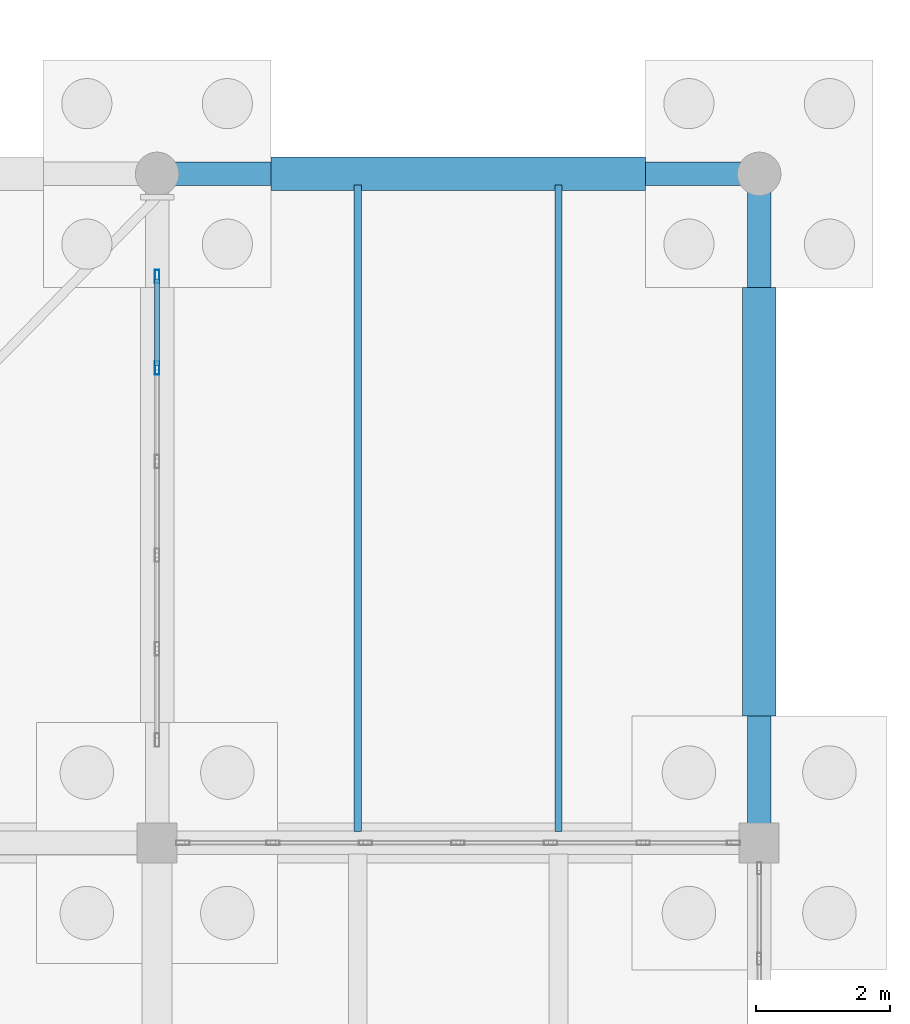
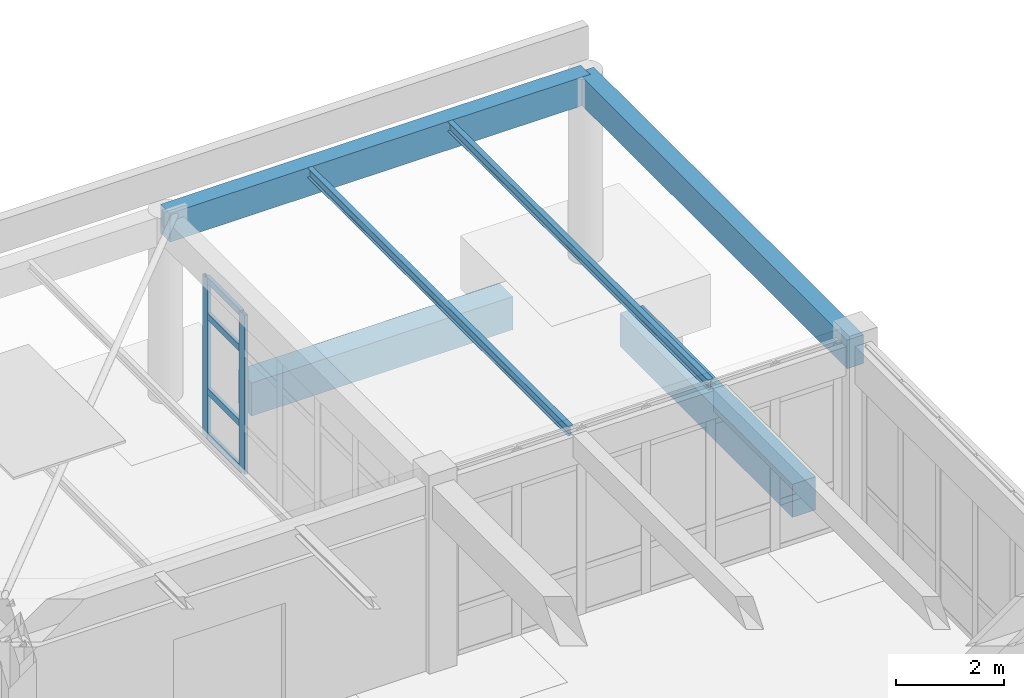
# One storey, part 140 of 186: 6 beams, 6 members, 1 element without a shape of its own.
"""IFC4 building model written with IfcOpenShell, lengths in metres."""

from ifc_helpers import new_model, si_unit, direction, frame, origin, origin_2d, place, context, subcontext, project, spatial, rectangle, hollow_rectangle, i_section, extrude, material, layer, layer_set, material_profile, profile_set, type_object, element, aggregate, save


model = new_model("IFC4")

# Units and contexts
model_context = context("Model", 3, precision=1e-05, world=origin(), true_north=direction((0.0, 1.0)))
body_context = subcontext(model_context, "Body", "Model", "MODEL_VIEW")
ifc_project = project(units=[si_unit("LENGTHUNIT", "METRE"), si_unit("AREAUNIT", "SQUARE_METRE"), si_unit("VOLUMEUNIT", "CUBIC_METRE"), si_unit("PLANEANGLEUNIT", "RADIAN"), si_unit("MASSUNIT", "GRAM", prefix="KILO")], contexts=[model_context])

# Site, building, storey
site_placement = place(None, origin())
site = spatial("IfcSite", under=ifc_project, at=site_placement, CompositionType="ELEMENT")
building_placement = place(site_placement, origin())
building = spatial("IfcBuilding", under=site, at=building_placement, Name="Ornek Quay Market", CompositionType="ELEMENT")
storey_placement = place(building_placement, origin())
storey = spatial("IfcBuildingStorey", under=building, at=storey_placement, Name="L00", CompositionType="ELEMENT", Elevation=0.0)

# Beams
ifc_material_1 = material(Name="Concrete C35/45", Category="concrete")
ifc_material_profile_1 = material_profile(ifc_material_1, rectangle(XDim=0.35009765625, YDim=0.64990234375, at=origin_2d()), Name="RC 350x650", Category="concrete")
ifc_profile_set_1 = profile_set([ifc_material_profile_1], Name="Concrete C35/45")
beam_type_1 = type_object("IfcBeamType", Name="BM-CONC-350x650", PredefinedType="BEAM", material=ifc_profile_set_1)
beam_1_placement = place(storey_placement, frame((171.0, 120.0, 3.864990234375), z_axis=(1.0, 0.0, 0.0), x_axis=(0.0, 1.0, 0.0)))
element("IfcBeam", 1, at=beam_1_placement, inside=storey, type_object=beam_type_1, Name="Primary beam B-CN1-044", PredefinedType="BEAM", context=body_context, shape_type="SweptSolid", body=[
    extrude(rectangle(XDim=0.35009765625, YDim=0.64990234375, at=origin_2d()), origin(), (0.0, 0.0, 1.0), 9.0),
])
beam_2_placement = place(storey_placement, frame((180.0, 110.0, 3.864990234375), z_axis=(0.0, 1.0, 0.0), x_axis=(-1.0, 0.0, 0.0)))
element("IfcBeam", 2, at=beam_2_placement, inside=storey, type_object=beam_type_1, Name="Primary beam B-CN1-051", PredefinedType="BEAM", context=body_context, shape_type="SweptSolid", body=[
    extrude(rectangle(XDim=0.35009765625, YDim=0.64990234375, at=origin_2d()), origin(), (0.0, 0.0, 1.0), 10.0),
])
ifc_material_profile_2 = material_profile(ifc_material_1, rectangle(XDim=0.5, YDim=0.75, at=origin_2d()), Name="RC 500x750", Category="concrete")
ifc_profile_set_2 = profile_set([ifc_material_profile_2], Name="Concrete C35/45")
beam_type_2 = type_object("IfcBeamType", Name="BM-GB-500x750", PredefinedType="BEAM", material=ifc_profile_set_2)
beam_3_placement = place(storey_placement, frame((172.699951171875, 120.0, -0.574951171875), z_axis=(1.0, 0.0, 0.0), x_axis=(0.0, 1.0, 0.0)))
element("IfcBeam", 3, at=beam_3_placement, inside=storey, type_object=beam_type_2, Name="Ground tie beam GB-361", PredefinedType="BEAM", context=body_context, shape_type="SweptSolid", body=[
    extrude(rectangle(XDim=0.5, YDim=0.75, at=origin_2d()), origin(), (0.0, 0.0, 1.0), 5.60009765625),
])
beam_4_placement = place(storey_placement, frame((180.0, 111.89990234375, -0.574951171875), z_axis=(0.0, 1.0, 0.0), x_axis=(-1.0, 0.0, 0.0)))
element("IfcBeam", 4, at=beam_4_placement, inside=storey, type_object=beam_type_2, Name="Ground tie beam GB-425", PredefinedType="BEAM", context=body_context, shape_type="SweptSolid", body=[
    extrude(rectangle(XDim=0.5, YDim=0.75, at=origin_2d()), origin(), (0.0, 0.0, 1.0), 6.400146484375),
])
ifc_material_2 = material(Name="Steel S355", Category="steel")
ifc_material_profile_3 = material_profile(ifc_material_2, i_section(OverallWidth=0.110107421875, OverallDepth=0.219970703125, WebThickness=0.005859375, FlangeThickness=0.00927734375, FilletRadius=0.011962890625, at=origin_2d()), Name="IPE 220", Category="steel")
ifc_profile_set_3 = profile_set([ifc_material_profile_3], Name="Steel S355")
beam_type_3 = type_object("IfcBeamType", Name="BM-STL-IPE220", PredefinedType="JOIST", material=ifc_profile_set_3)
for number, where, z_axis, x_axis, name in (
    (5, (174.0, 110.1669921875, 4.080078125), (0.0, 1.0, 0.0), (-1.0, 0.0, 0.0), "Secondary joist SB-03-011"),
    (6, (177.0, 110.1669921875, 4.080078125), (0.0, 1.0, 0.0), (-1.0, 0.0, 0.0), "Secondary joist SB-03-012"),
):
    element("IfcBeam", number, at=place(storey_placement, frame(where, z_axis=z_axis, x_axis=x_axis)), inside=storey, type_object=beam_type_3, Name=name, PredefinedType="JOIST", context=body_context, shape_type="SweptSolid", body=[
        extrude(i_section(OverallWidth=0.110107421875, OverallDepth=0.219970703125, WebThickness=0.005859375, FlangeThickness=0.00927734375, FilletRadius=0.011962890625, at=origin_2d()), origin(), (0.0, 0.0, 1.0), 9.666015625),
    ])

# Curtain wall, members
ifc_material_3 = material(Name="Anodised bronze aluminium and triple low-e glass", Category="aluminium")
ifc_layer = layer(ifc_material_3, 0.219970703125, Name="Anodised bronze aluminium and triple low-e glass", Category="aluminium")
ifc_layer_set = layer_set([ifc_layer], Name="Anodised bronze aluminium and triple low-e glass")
curtain_wall_type = type_object("IfcCurtainWallType", Name="CW-PORCH-MOD1500", PredefinedType="USERDEFINED", material=ifc_layer_set)
curtain_wall_placement = place(storey_placement, origin())
curtain_wall = element("IfcCurtainWall", 7, at=curtain_wall_placement, inside=storey, type_object=curtain_wall_type, Name="Curtain wall CW-158", ObjectType="CURTAIN WALL", PredefinedType="USERDEFINED")
ifc_material_4 = material(Name="Anodised aluminium 6063-T6", Category="aluminium")
ifc_material_profile_4 = material_profile(ifc_material_4, hollow_rectangle(XDim=0.070068359375, YDim=0.199951171875, WallThickness=0.0048828125, at=origin_2d()), Name="CW-MUL-70x200", Category="aluminium")
ifc_profile_set_4 = profile_set([ifc_material_profile_4], Name="Anodised aluminium 6063-T6")
member_type_1 = type_object("IfcMemberType", Name="CW-MUL-70x200", PredefinedType="MULLION", material=ifc_profile_set_4)
member_1_placement = place(storey_placement, frame((171.0, 117.10009765625, 0.0), z_axis=(0.0, 0.0, 1.0), x_axis=(-1.0, 0.0, 0.0)))
member_1 = element("IfcMember", 8, at=member_1_placement, type_object=member_type_1, Name="CW-158 mullion 5", PredefinedType="MULLION", context=body_context, shape_type="SweptSolid", body=[
    extrude(hollow_rectangle(XDim=0.070068359375, YDim=0.199951171875, WallThickness=0.0048828125, at=origin_2d()), origin(), (0.0, 0.0, 1.0), 3.60009765625),
])
member_2_placement = place(storey_placement, frame((171.0, 118.465087890625, 0.0), z_axis=(0.0, 0.0, 1.0), x_axis=(-1.0, 0.0, 0.0)))
member_2 = element("IfcMember", 9, at=member_2_placement, type_object=member_type_1, Name="CW-158 mullion 6", PredefinedType="MULLION", context=body_context, shape_type="SweptSolid", body=[
    extrude(hollow_rectangle(XDim=0.070068359375, YDim=0.199951171875, WallThickness=0.0048828125, at=origin_2d()), origin(), (0.0, 0.0, 1.0), 3.60009765625),
])
ifc_material_profile_5 = material_profile(ifc_material_4, hollow_rectangle(XDim=0.070068359375, YDim=0.14990234375, WallThickness=0.0048828125, at=origin_2d()), Name="CW-TRN-70x150", Category="aluminium")
ifc_profile_set_5 = profile_set([ifc_material_profile_5], Name="Anodised aluminium 6063-T6")
member_type_2 = type_object("IfcMemberType", Name="CW-TRN-70x150", PredefinedType="USERDEFINED", material=ifc_profile_set_5)
member_3_placement = place(storey_placement, frame((171.0, 117.135009765625, 0.034912109375), z_axis=(0.0, 1.0, 0.0), x_axis=(-1.0, 0.0, 0.0)))
member_3 = element("IfcMember", 10, at=member_3_placement, type_object=member_type_2, Name="CW-158 transom 5.1", ObjectType="TRANSOM", PredefinedType="USERDEFINED", context=body_context, shape_type="SweptSolid", body=[
    extrude(hollow_rectangle(XDim=0.070068359375, YDim=0.14990234375, WallThickness=0.0048828125, at=origin_2d()), origin(), (0.0, 0.0, 1.0), 1.294921875),
])
member_4_placement = place(storey_placement, frame((171.0, 117.135009765625, 1.050048828125), z_axis=(0.0, 1.0, 0.0), x_axis=(-1.0, 0.0, 0.0)))
member_4 = element("IfcMember", 11, at=member_4_placement, type_object=member_type_2, Name="CW-158 transom 5.2", ObjectType="TRANSOM", PredefinedType="USERDEFINED", context=body_context, shape_type="SweptSolid", body=[
    extrude(hollow_rectangle(XDim=0.070068359375, YDim=0.14990234375, WallThickness=0.0048828125, at=origin_2d()), origin(), (0.0, 0.0, 1.0), 1.294921875),
])
member_5_placement = place(storey_placement, frame((171.0, 117.135009765625, 2.75), z_axis=(0.0, 1.0, 0.0), x_axis=(-1.0, 0.0, 0.0)))
member_5 = element("IfcMember", 12, at=member_5_placement, type_object=member_type_2, Name="CW-158 transom 5.3", ObjectType="TRANSOM", PredefinedType="USERDEFINED", context=body_context, shape_type="SweptSolid", body=[
    extrude(hollow_rectangle(XDim=0.070068359375, YDim=0.14990234375, WallThickness=0.0048828125, at=origin_2d()), origin(), (0.0, 0.0, 1.0), 1.294921875),
])
member_6_placement = place(storey_placement, frame((171.0, 117.135009765625, 3.56494140625), z_axis=(0.0, 1.0, 0.0), x_axis=(-1.0, 0.0, 0.0)))
member_6 = element("IfcMember", 13, at=member_6_placement, type_object=member_type_2, Name="CW-158 transom 5.4", ObjectType="TRANSOM", PredefinedType="USERDEFINED", context=body_context, shape_type="SweptSolid", body=[
    extrude(hollow_rectangle(XDim=0.070068359375, YDim=0.14990234375, WallThickness=0.0048828125, at=origin_2d()), origin(), (0.0, 0.0, 1.0), 1.294921875),
])
aggregate(curtain_wall, [member_1, member_2, member_3, member_4, member_5, member_6])

save(model, "model.ifc")
